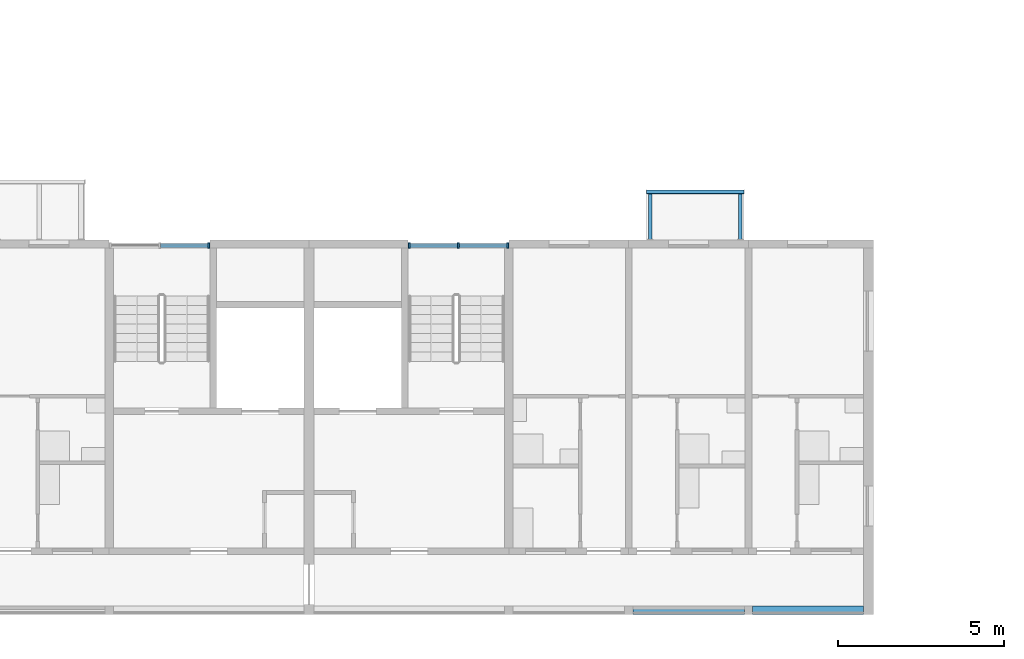
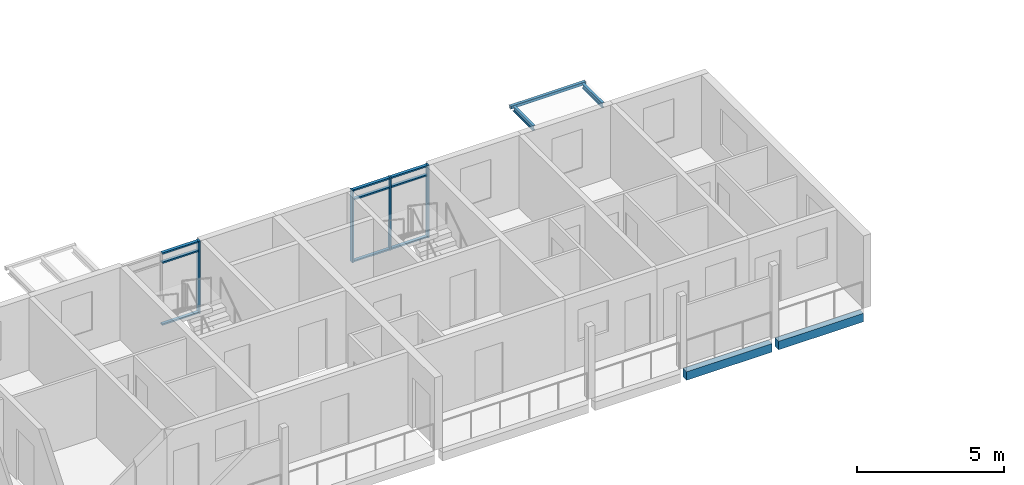
# One storey, part 10 of 78: 13 members, 5 beams, 2 elements without a shape of their own.
"""IFC4 building model written with IfcOpenShell, lengths in metres."""

import ifcopenshell
import ifcopenshell.guid

model = None  # the IFC model being written
_history = None  # IfcOwnerHistory: only IFC2X3 demands one
_inside = {}  # id of a spatial element -> (the spatial element, [elements in it])
_under = {}  # id of a project, library or spatial element -> (it, [spatial elements below it])
_declared = {}  # id of a project -> (the project, [libraries it declares])
_typed = {}  # id of a type object -> (the type object, [elements of that type])
_made_of = {}  # id of a material, layer set ... -> (it, [elements and type objects made of it])


def new_model(schema):
    """Start an empty IFC model of exactly this schema.

    Asked for "IFC4X3", IfcOpenShell would pick the latest addendum, in which some entities
    have other attributes; the version numbers below select the first issue.
    IFC2X3 requires an IfcOwnerHistory on every rooted entity: one is made here for all.
    """
    global model, _history
    if schema == "IFC4X3":
        model = ifcopenshell.file(schema_version=(4, 3, 0, 0))
    else:
        model = ifcopenshell.file(schema=schema)
    _inside.clear()
    _under.clear()
    _declared.clear()
    _typed.clear()
    _made_of.clear()
    _history = None
    if model.schema == "IFC2X3":
        org = make("IfcOrganization", Name="unknown")
        user = make(
            "IfcPersonAndOrganization",
            ThePerson=make("IfcPerson", FamilyName="unknown"),
            TheOrganization=org,
        )
        app = make(
            "IfcApplication",
            ApplicationDeveloper=org,
            Version="unknown",
            ApplicationFullName="unknown",
            ApplicationIdentifier="unknown",
        )
        _history = make(
            "IfcOwnerHistory",
            OwningUser=user,
            OwningApplication=app,
            ChangeAction="ADDED",
            CreationDate=0,
        )
    return model


def make(cls, **values):
    """One entity of the class cls with the attributes given. An attribute that is None is left unset."""
    return model.create_entity(
        cls, **{name: value for name, value in values.items() if value is not None}
    )


def rooted(cls, **values):
    """An entity with a GlobalId (a new one), such as an element, a storey or a relation."""
    return make(cls, GlobalId=ifcopenshell.guid.new(), OwnerHistory=_history, **values)


def si_unit(unit_type, name, prefix=None):
    """IfcSIUnit, for example si_unit("LENGTHUNIT", "METRE", prefix="MILLI")."""
    return make("IfcSIUnit", UnitType=unit_type, Prefix=prefix, Name=name)


def assignment(units):
    """IfcUnitAssignment: the units of a project."""
    return None if units is None else make("IfcUnitAssignment", Units=units)


def point(xyz):
    """IfcCartesianPoint."""
    return None if xyz is None else make("IfcCartesianPoint", Coordinates=xyz)


def direction(xyz):
    """IfcDirection."""
    return None if xyz is None else make("IfcDirection", DirectionRatios=xyz)


def frame(location, z_axis=None, x_axis=None):
    """IfcAxis2Placement3D, a coordinate frame: its origin and axes. An axis left out is left unset."""
    return make(
        "IfcAxis2Placement3D",
        Location=point(location),
        Axis=direction(z_axis),
        RefDirection=direction(x_axis),
    )


def frame_2d(location, x_axis=None):
    """IfcAxis2Placement2D, a coordinate frame in the plane: its origin and x axis."""
    return make(
        "IfcAxis2Placement2D", Location=point(location), RefDirection=direction(x_axis)
    )


def origin():
    """The frame at (0, 0, 0) with its axes left unset."""
    return frame((0.0, 0.0, 0.0))


def origin_2d():
    """The frame at (0, 0) in the plane with its x axis left unset."""
    return frame_2d((0.0, 0.0))


def place(relative_to, where):
    """IfcLocalPlacement: puts the frame where relative to a parent placement (None: the world)."""
    return make(
        "IfcLocalPlacement", PlacementRelTo=relative_to, RelativePlacement=where
    )


def context(
    kind, dimensions, precision=None, world=None, true_north=None, identifier=None
):
    """IfcGeometricRepresentationContext, for example the 3D "Model" context."""
    return make(
        "IfcGeometricRepresentationContext",
        ContextIdentifier=identifier,
        ContextType=kind,
        CoordinateSpaceDimension=dimensions,
        Precision=precision,
        WorldCoordinateSystem=world,
        TrueNorth=true_north,
    )


def subcontext(parent, identifier, kind, view, scale=None):
    """IfcGeometricRepresentationSubContext, for example "Body" below "Model"."""
    return make(
        "IfcGeometricRepresentationSubContext",
        ContextIdentifier=identifier,
        ContextType=kind,
        ParentContext=parent,
        TargetScale=scale,
        TargetView=view,
    )


def project(units=None, contexts=None):
    """IfcProject with its units and contexts."""
    return rooted(
        "IfcProject",
        Name="project",
        RepresentationContexts=contexts,
        UnitsInContext=assignment(units),
    )


def spatial(cls, under=None, at=None, **own):
    """A site, building, storey or space (cls), placed at a placement, below another one or the project."""
    s = rooted(cls, ObjectPlacement=at, **own)
    if under is not None:
        _under.setdefault(under.id(), (under, []))[1].append(s)
    return s


def profile(cls, at=None, kind="AREA", **sizes):
    """A parametric profile (cls). Its sizes go by their IFC names, for example OverallWidth=200.0."""
    return make(cls, ProfileType=kind, Position=at, **sizes)


def rectangle(**sizes):
    """IfcRectangleProfileDef."""
    return profile("IfcRectangleProfileDef", **sizes)


def hollow_rectangle(**sizes):
    """IfcRectangleHollowProfileDef."""
    return profile("IfcRectangleHollowProfileDef", **sizes)


def i_section(**sizes):
    """IfcIShapeProfileDef."""
    return profile("IfcIShapeProfileDef", **sizes)


def extrude(swept, where, along, depth):
    """IfcExtrudedAreaSolid: the profile swept, set in the frame where, extruded along a direction by depth."""
    return make(
        "IfcExtrudedAreaSolid",
        SweptArea=swept,
        Position=where,
        ExtrudedDirection=direction(along),
        Depth=depth,
    )


def shape(context_of_items, identifier, shape_type, items):
    """IfcShapeRepresentation: the items that make up one representation, for example the "Body"."""
    return make(
        "IfcShapeRepresentation",
        ContextOfItems=context_of_items,
        RepresentationIdentifier=identifier,
        RepresentationType=shape_type,
        Items=items,
    )


def material(Name=None, Category=None):
    """IfcMaterial."""
    return make("IfcMaterial", Name=Name, Category=Category)


def material_profile(
    of_material, cross_section, Name=None, Category=None, Priority=None
):
    """IfcMaterialProfile: a cross section and its material."""
    return make(
        "IfcMaterialProfile",
        Name=Name,
        Material=of_material,
        Profile=cross_section,
        Priority=Priority,
        Category=Category,
    )


def profile_set(profiles, Name=None, composite=None):
    """IfcMaterialProfileSet."""
    return make(
        "IfcMaterialProfileSet",
        Name=Name,
        MaterialProfiles=profiles,
        CompositeProfile=composite,
    )


def made_of(thing, what):
    """Note that an element or type object is made of a material, layer set ...; save() writes the relation."""
    if what is not None:
        _made_of.setdefault(what.id(), (what, []))[1].append(thing)
    return thing


def type_object(cls, material=None, **own):
    """A type object (cls), such as IfcWallType, which elements share."""
    return made_of(rooted(cls, **own), material)


def element(
    cls,
    number,
    at=None,
    inside=None,
    cuts=None,
    type_object=None,
    material=None,
    context=None,
    identifier="Body",
    shape_type=None,
    held_by="IfcProductDefinitionShape",
    body=None,
    shapes=None,
    **own,
):
    """One element of the class cls, such as IfcWall. Its Tag is "e" and its number.

    at: its placement. inside: the storey or other place that contains it. cuts: it is an
    opening in that element (IfcRelVoidsElement). A single representation is given by context,
    identifier, shape_type and body (its items); several are given by shapes. held_by: the class
    of the entity that holds the representations. save() writes the other relations.
    """
    e = rooted(cls, Tag="e%d" % number, ObjectPlacement=at, **own)
    if body is not None:
        shapes = [shape(context, identifier, shape_type, body)]
    if shapes is not None:
        e.Representation = make(held_by, Representations=shapes)
    if inside is not None:
        _inside.setdefault(inside.id(), (inside, []))[1].append(e)
    if cuts is not None:
        rooted(
            "IfcRelVoidsElement", RelatingBuildingElement=cuts, RelatedOpeningElement=e
        )
    if type_object is not None:
        _typed.setdefault(type_object.id(), (type_object, []))[1].append(e)
    return made_of(e, material)


def aggregate(whole, parts):
    """IfcRelAggregates: a whole, such as a stair, and the parts it consists of."""
    return rooted("IfcRelAggregates", RelatingObject=whole, RelatedObjects=parts)


def save(model, path):
    """Write the relations noted so far, then the file.

    IfcRelAggregates (storeys below a building ...), IfcRelContainedInSpatialStructure (elements
    in a storey), IfcRelDefinesByType, IfcRelAssociatesMaterial and IfcRelDeclares: one each for
    every whole, place, type object, material and project.
    """
    for whole, parts in _under.values():
        aggregate(whole, parts)
    for where, things in _inside.values():
        rooted(
            "IfcRelContainedInSpatialStructure",
            RelatedElements=things,
            RelatingStructure=where,
        )
    for kind, things in _typed.values():
        rooted("IfcRelDefinesByType", RelatedObjects=things, RelatingType=kind)
    for what, things in _made_of.values():
        rooted("IfcRelAssociatesMaterial", RelatedObjects=things, RelatingMaterial=what)
    for by, libraries in _declared.values():
        rooted("IfcRelDeclares", RelatingContext=by, RelatedDefinitions=libraries)
    model.write(path)


model = new_model("IFC4")

# Units and contexts
model_context = context("Model", 3, precision=1e-05, world=origin(), true_north=direction((0.0, 1.0)))
body_context = subcontext(model_context, "Body", "Model", "MODEL_VIEW")
ifc_project = project(units=[si_unit("LENGTHUNIT", "METRE"), si_unit("AREAUNIT", "SQUARE_METRE"), si_unit("VOLUMEUNIT", "CUBIC_METRE"), si_unit("PLANEANGLEUNIT", "RADIAN"), si_unit("MASSUNIT", "GRAM", prefix="KILO")], contexts=[model_context])

# Site, building, storey
site_placement = place(None, origin())
site = spatial("IfcSite", under=ifc_project, at=site_placement, CompositionType="ELEMENT")
building_placement = place(site_placement, origin())
building = spatial("IfcBuilding", under=site, at=building_placement, Name="Ridgestep Commons", CompositionType="ELEMENT")
storey_placement = place(building_placement, frame((0.0, 0.0, 30.0)))
storey = spatial("IfcBuildingStorey", under=building, at=storey_placement, Name="L10", CompositionType="ELEMENT", Elevation=30.0)

# Beams
ifc_material_1 = material(Name="Precast concrete C40/50", Category="concrete")
ifc_material_profile_1 = material_profile(ifc_material_1, rectangle(XDim=0.25, YDim=0.35009765625, at=origin_2d()), Name="PC 250x350")
ifc_profile_set_1 = profile_set([ifc_material_profile_1], Name="Precast concrete C40/50")
beam_type_1 = type_object("IfcBeamType", Name="Loggia edge beam 250 x 350", PredefinedType="SPANDREL", material=ifc_profile_set_1)
beam_1_placement = place(storey_placement, frame((105.72509765625, 11.875, -0.375), z_axis=(1.0, 0.0, 0.0), x_axis=(0.0, 1.0, 0.0)))
element("IfcBeam", 1, at=beam_1_placement, inside=storey, type_object=beam_type_1, Name="Loggia edge beam A6T2 L10", PredefinedType="SPANDREL", context=body_context, shape_type="SweptSolid", body=[
    extrude(rectangle(XDim=0.25, YDim=0.35009765625, at=origin_2d()), origin(), (0.0, 0.0, 1.0), 3.349853515625),
])
beam_2_placement = place(storey_placement, frame((109.324951171875, 11.875, -0.375), z_axis=(1.0, 0.0, 0.0), x_axis=(0.0, 1.0, 0.0)))
element("IfcBeam", 2, at=beam_2_placement, inside=storey, type_object=beam_type_1, Name="Loggia edge beam A6T1 L10", PredefinedType="SPANDREL", context=body_context, shape_type="SweptSolid", body=[
    extrude(rectangle(XDim=0.25, YDim=0.35009765625, at=origin_2d()), origin(), (0.0, 0.0, 1.0), 3.324951171875),
])

# Curtain wall, member
ifc_material_2 = material(Name="Aluminium 6063-T6 and glass", Category="aluminium")
curtain_wall_type = type_object("IfcCurtainWallType", Name="Curtain wall stair strip", PredefinedType="NOTDEFINED", material=ifc_material_2)
curtain_wall_1_placement = place(storey_placement, origin())
curtain_wall_1 = element("IfcCurtainWall", 3, at=curtain_wall_1_placement, inside=storey, type_object=curtain_wall_type, Name="Curtain wall A5C level 10", PredefinedType="NOTDEFINED")
ifc_material_3 = material(Name="Aluminium 6063-T6", Category="aluminium")
ifc_material_profile_2 = material_profile(ifc_material_3, rectangle(XDim=0.159912109375, YDim=0.06005859375, at=origin_2d()), Name="Mullion 60 x 160")
ifc_profile_set_2 = profile_set([ifc_material_profile_2], Name="Aluminium 6063-T6")
member_type_1 = type_object("IfcMemberType", Name="Mullion 60 x 160", PredefinedType="MULLION", material=ifc_profile_set_2)
member_1_placement = place(storey_placement, frame((92.9951171875, 22.830078125, 0.0), z_axis=(0.0, 0.0, 1.0), x_axis=(0.0, 1.0, 0.0)))
member_1 = element("IfcMember", 4, at=member_1_placement, type_object=member_type_1, Name="CW1 mullion 3", PredefinedType="MULLION", context=body_context, shape_type="SweptSolid", body=[
    extrude(rectangle(XDim=0.159912109375, YDim=0.06005859375, at=origin_2d()), origin(), (0.0, 0.0, 1.0), 3.0),
])

# Curtain wall, members
curtain_wall_2_placement = place(storey_placement, origin())
curtain_wall_2 = element("IfcCurtainWall", 5, at=curtain_wall_2_placement, inside=storey, type_object=curtain_wall_type, Name="Curtain wall A6C level 10", PredefinedType="NOTDEFINED")
member_2_placement = place(storey_placement, frame((99.0048828125, 22.830078125, 0.0), z_axis=(0.0, 0.0, 1.0), x_axis=(0.0, 1.0, 0.0)))
member_2 = element("IfcMember", 6, at=member_2_placement, type_object=member_type_1, Name="CW1 mullion 1", PredefinedType="MULLION", context=body_context, shape_type="SweptSolid", body=[
    extrude(rectangle(XDim=0.159912109375, YDim=0.06005859375, at=origin_2d()), origin(), (0.0, 0.0, 1.0), 3.0),
])
member_3_placement = place(storey_placement, frame((100.487548828125, 22.830078125, 0.0), z_axis=(0.0, 0.0, 1.0), x_axis=(0.0, 1.0, 0.0)))
member_3 = element("IfcMember", 7, at=member_3_placement, type_object=member_type_1, Name="CW1 mullion 2", PredefinedType="MULLION", context=body_context, shape_type="SweptSolid", body=[
    extrude(rectangle(XDim=0.159912109375, YDim=0.06005859375, at=origin_2d()), origin(), (0.0, 0.0, 1.0), 3.0),
])
member_4_placement = place(storey_placement, frame((101.969970703125, 22.830078125, 0.0), z_axis=(0.0, 0.0, 1.0), x_axis=(0.0, 1.0, 0.0)))
member_4 = element("IfcMember", 8, at=member_4_placement, type_object=member_type_1, Name="CW1 mullion 3", PredefinedType="MULLION", context=body_context, shape_type="SweptSolid", body=[
    extrude(rectangle(XDim=0.159912109375, YDim=0.06005859375, at=origin_2d()), origin(), (0.0, 0.0, 1.0), 3.0),
])

# Member
ifc_material_4 = material(Name="Aluminium 6063-T6", Category="aluminium")
ifc_material_profile_3 = material_profile(ifc_material_4, rectangle(XDim=0.1201171875, YDim=0.06005859375, at=origin_2d()), Name="Transom 60 x 120")
ifc_profile_set_3 = profile_set([ifc_material_profile_3], Name="Aluminium 6063-T6")
member_type_2 = type_object("IfcMemberType", Name="Transom 60 x 120", PredefinedType="USERDEFINED", material=ifc_profile_set_3)
member_5_placement = place(storey_placement, frame((91.54248046875, 22.830078125, 0.030029296875), z_axis=(1.0, 0.0, 0.0), x_axis=(0.0, 1.0, 0.0)))
member_5 = element("IfcMember", 9, at=member_5_placement, type_object=member_type_2, Name="CW1 transom 2.1", ObjectType="TRANSOM", PredefinedType="USERDEFINED", context=body_context, shape_type="SweptSolid", body=[
    extrude(rectangle(XDim=0.1201171875, YDim=0.06005859375, at=origin_2d()), origin(), (0.0, 0.0, 1.0), 1.422607421875),
])

member_6_placement = place(storey_placement, frame((91.54248046875, 22.830078125, 2.590087890625), z_axis=(1.0, 0.0, 0.0), x_axis=(0.0, 1.0, 0.0)))
member_6 = element("IfcMember", 10, at=member_6_placement, type_object=member_type_2, Name="CW1 transom 2.2", ObjectType="TRANSOM", PredefinedType="USERDEFINED", context=body_context, shape_type="SweptSolid", body=[
    extrude(rectangle(XDim=0.1201171875, YDim=0.06005859375, at=origin_2d()), origin(), (0.0, 0.0, 1.0), 1.422607421875),
])

member_7_placement = place(storey_placement, frame((91.54248046875, 22.830078125, 2.969970703125), z_axis=(1.0, 0.0, 0.0), x_axis=(0.0, 1.0, 0.0)))
member_7 = element("IfcMember", 11, at=member_7_placement, type_object=member_type_2, Name="CW1 transom 2.3", ObjectType="TRANSOM", PredefinedType="USERDEFINED", context=body_context, shape_type="SweptSolid", body=[
    extrude(rectangle(XDim=0.1201171875, YDim=0.06005859375, at=origin_2d()), origin(), (0.0, 0.0, 1.0), 1.422607421875),
])

aggregate(curtain_wall_1, [member_1, member_5, member_6, member_7])

member_8_placement = place(storey_placement, frame((99.034912109375, 22.830078125, 0.030029296875), z_axis=(1.0, 0.0, 0.0), x_axis=(0.0, 1.0, 0.0)))
member_8 = element("IfcMember", 12, at=member_8_placement, type_object=member_type_2, Name="CW1 transom 1.1", ObjectType="TRANSOM", PredefinedType="USERDEFINED", context=body_context, shape_type="SweptSolid", body=[
    extrude(rectangle(XDim=0.1201171875, YDim=0.06005859375, at=origin_2d()), origin(), (0.0, 0.0, 1.0), 1.422607421875),
])

member_9_placement = place(storey_placement, frame((99.034912109375, 22.830078125, 2.590087890625), z_axis=(1.0, 0.0, 0.0), x_axis=(0.0, 1.0, 0.0)))
member_9 = element("IfcMember", 13, at=member_9_placement, type_object=member_type_2, Name="CW1 transom 1.2", ObjectType="TRANSOM", PredefinedType="USERDEFINED", context=body_context, shape_type="SweptSolid", body=[
    extrude(rectangle(XDim=0.1201171875, YDim=0.06005859375, at=origin_2d()), origin(), (0.0, 0.0, 1.0), 1.422607421875),
])

member_10_placement = place(storey_placement, frame((99.034912109375, 22.830078125, 2.969970703125), z_axis=(1.0, 0.0, 0.0), x_axis=(0.0, 1.0, 0.0)))
member_10 = element("IfcMember", 14, at=member_10_placement, type_object=member_type_2, Name="CW1 transom 1.3", ObjectType="TRANSOM", PredefinedType="USERDEFINED", context=body_context, shape_type="SweptSolid", body=[
    extrude(rectangle(XDim=0.1201171875, YDim=0.06005859375, at=origin_2d()), origin(), (0.0, 0.0, 1.0), 1.422607421875),
])

member_11_placement = place(storey_placement, frame((100.517578125, 22.830078125, 0.030029296875), z_axis=(1.0, 0.0, 0.0), x_axis=(0.0, 1.0, 0.0)))
member_11 = element("IfcMember", 15, at=member_11_placement, type_object=member_type_2, Name="CW1 transom 2.1", ObjectType="TRANSOM", PredefinedType="USERDEFINED", context=body_context, shape_type="SweptSolid", body=[
    extrude(rectangle(XDim=0.1201171875, YDim=0.06005859375, at=origin_2d()), origin(), (0.0, 0.0, 1.0), 1.42236328125),
])

member_12_placement = place(storey_placement, frame((100.517578125, 22.830078125, 2.590087890625), z_axis=(1.0, 0.0, 0.0), x_axis=(0.0, 1.0, 0.0)))
member_12 = element("IfcMember", 16, at=member_12_placement, type_object=member_type_2, Name="CW1 transom 2.2", ObjectType="TRANSOM", PredefinedType="USERDEFINED", context=body_context, shape_type="SweptSolid", body=[
    extrude(rectangle(XDim=0.1201171875, YDim=0.06005859375, at=origin_2d()), origin(), (0.0, 0.0, 1.0), 1.42236328125),
])

member_13_placement = place(storey_placement, frame((100.517578125, 22.830078125, 2.969970703125), z_axis=(1.0, 0.0, 0.0), x_axis=(0.0, 1.0, 0.0)))
member_13 = element("IfcMember", 17, at=member_13_placement, type_object=member_type_2, Name="CW1 transom 2.3", ObjectType="TRANSOM", PredefinedType="USERDEFINED", context=body_context, shape_type="SweptSolid", body=[
    extrude(rectangle(XDim=0.1201171875, YDim=0.06005859375, at=origin_2d()), origin(), (0.0, 0.0, 1.0), 1.42236328125),
])

aggregate(curtain_wall_2, [member_2, member_3, member_4, member_8, member_9, member_10, member_11, member_12, member_13])

# Beams
ifc_material_5 = material(Name="Weathering steel S355J2W", Category="steel")
ifc_material_profile_4 = material_profile(ifc_material_5, i_section(OverallWidth=0.101806640625, OverallDepth=0.203125, WebThickness=0.00537109375, FlangeThickness=0.00927734375, FilletRadius=0.007568359375, at=origin_2d()), Name="UB 203x102x23")
ifc_profile_set_4 = profile_set([ifc_material_profile_4], Name="Weathering steel S355J2W")
beam_type_2 = type_object("IfcBeamType", Name="Tray arm UB 203x102x23", PredefinedType="BEAM", material=ifc_profile_set_4)
for number, where, z_axis, x_axis, name in (
    (18, (106.25, 23.014892578125, 2.888427734375), (0.0, 1.0, 0.0), (-1.0, 0.0, 0.0), "Tray arm A6T2-11.1"),
    (19, (108.949951171875, 23.014892578125, 2.888427734375), (0.0, 1.0, 0.0), (-1.0, 0.0, 0.0), "Tray arm A6T2-11.2"),
):
    element("IfcBeam", number, at=place(storey_placement, frame(where, z_axis=z_axis, x_axis=x_axis)), inside=storey, type_object=beam_type_2, Name=name, PredefinedType="BEAM", context=body_context, shape_type="SweptSolid", body=[
        extrude(i_section(OverallWidth=0.101806640625, OverallDepth=0.203125, WebThickness=0.00537109375, FlangeThickness=0.00927734375, FilletRadius=0.007568359375, at=origin_2d()), origin(), (0.0, 0.0, 1.0), 1.364990234375),
    ])
ifc_material_6 = material(Name="Weathering steel S355J2W", Category="steel")
ifc_material_profile_5 = material_profile(ifc_material_6, hollow_rectangle(XDim=0.1201171875, YDim=0.1201171875, WallThickness=0.00634765625, InnerFilletRadius=0.00634765625, OuterFilletRadius=0.009521484375, at=origin_2d()), Name="SHS 120x120x6.3")
ifc_profile_set_5 = profile_set([ifc_material_profile_5], Name="Weathering steel S355J2W")
beam_type_3 = type_object("IfcBeamType", Name="Tray edge member SHS 120x120x6.3", PredefinedType="BEAM", material=ifc_profile_set_5)
beam_3_placement = place(storey_placement, frame((106.1298828125, 24.43994140625, 2.929931640625), z_axis=(1.0, 0.0, 0.0), x_axis=(0.0, 0.0, 1.0)))
element("IfcBeam", 20, at=beam_3_placement, inside=storey, type_object=beam_type_3, Name="Tray edge member A6T2-11", PredefinedType="BEAM", context=body_context, shape_type="SweptSolid", body=[
    extrude(hollow_rectangle(XDim=0.1201171875, YDim=0.1201171875, WallThickness=0.00634765625, InnerFilletRadius=0.00634765625, OuterFilletRadius=0.009521484375, at=origin_2d()), origin(), (0.0, 0.0, 1.0), 2.940185546875),
])

save(model, "model.ifc")
